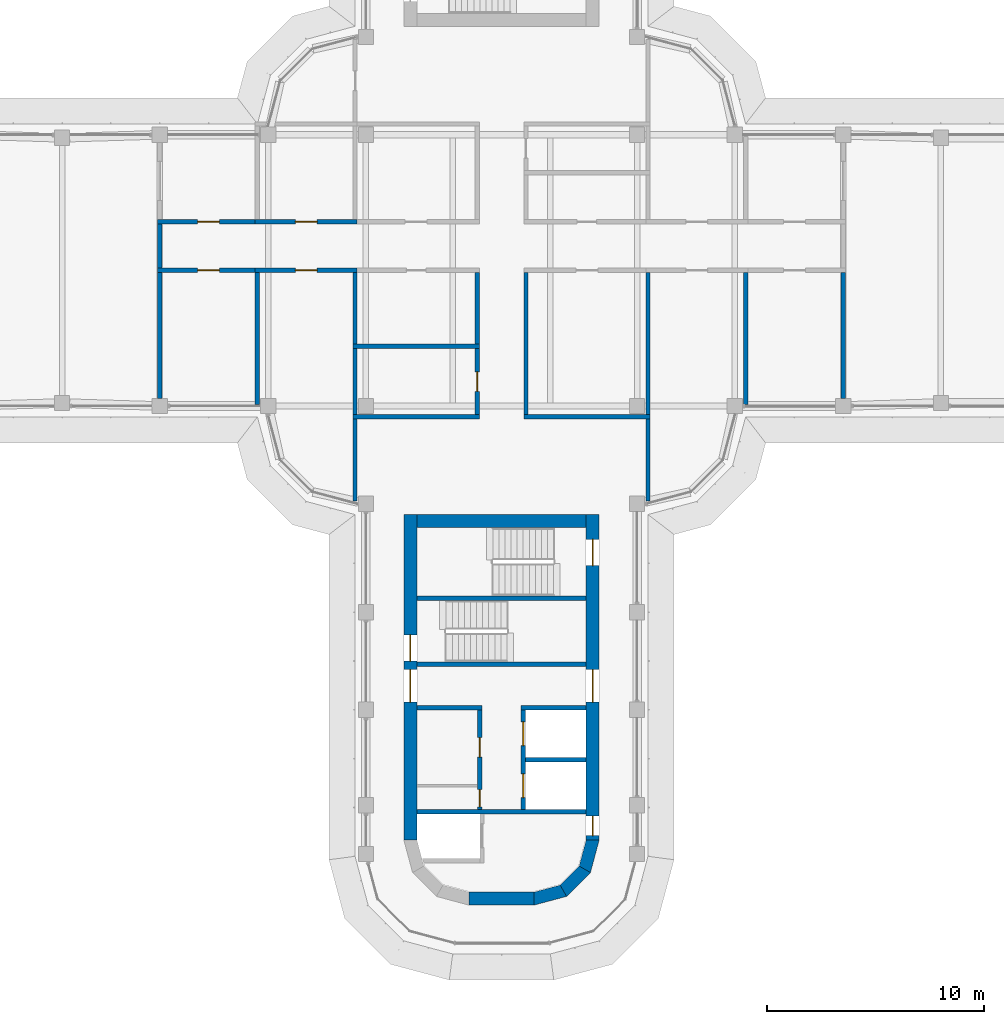
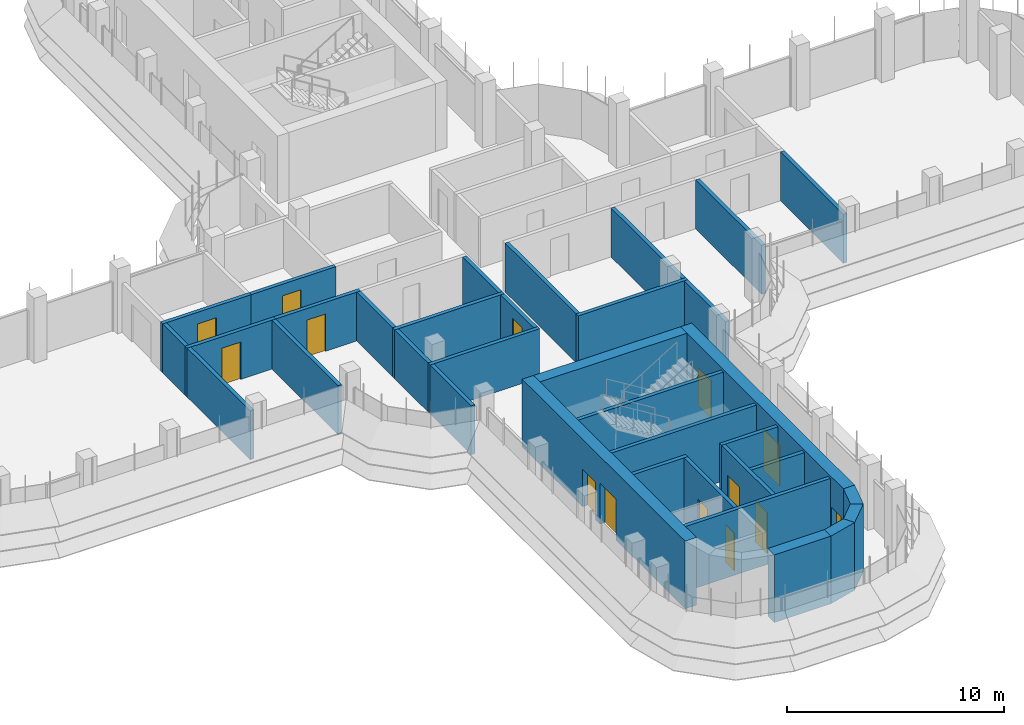
# One storey, part 13 of 18: 35 walls, 14 doors, 14 openings.
"""IFC4 building model written with IfcOpenShell, lengths in metres."""

from ifc_helpers import new_model, si_unit, direction, frame, frame_2d, origin, place, context, subcontext, project, spatial, polyline, rectangle, outline, extrude, material, layer, layer_set, type_object, element, fill, save


model = new_model("IFC4")

# Units and contexts
model_context = context("Model", 3, precision=1e-05, world=origin(), true_north=direction((0.0, 1.0)))
body_context = subcontext(model_context, "Body", "Model", "MODEL_VIEW")
ifc_project = project(units=[si_unit("LENGTHUNIT", "METRE"), si_unit("AREAUNIT", "SQUARE_METRE"), si_unit("VOLUMEUNIT", "CUBIC_METRE"), si_unit("PLANEANGLEUNIT", "RADIAN"), si_unit("MASSUNIT", "GRAM", prefix="KILO")], contexts=[model_context])

# Site, building, storey
site_placement = place(None, origin())
site = spatial("IfcSite", under=ifc_project, at=site_placement, CompositionType="ELEMENT")
building_placement = place(site_placement, origin())
building = spatial("IfcBuilding", under=site, at=building_placement, Name="Zarbagh Exchange Tower", CompositionType="ELEMENT")
storey_placement = place(building_placement, frame((0.0, 0.0, 206.800048828125)))
storey = spatial("IfcBuildingStorey", under=building, at=storey_placement, Name="L50", CompositionType="ELEMENT", Elevation=206.800048828125)

# Wall, opening, door
ifc_material_1 = material(Name="Fire-rated plasterboard partition")
ifc_layer_1 = layer(ifc_material_1, 0.199951171875)
ifc_layer_set_1 = layer_set([ifc_layer_1], Name="RATED PARTITION 200")
wall_type_1 = type_object("IfcWallType", Name="RATED PARTITION 200", PredefinedType="PARTITIONING", material=ifc_layer_set_1)
wall_1_placement = place(storey_placement, frame((-11.35009765625, 2.25, 0.0), z_axis=(0.0, 0.0, 1.0), x_axis=(1.0, 0.0, 0.0)))
wall_1 = element("IfcWall", 1, at=wall_1_placement, inside=storey, type_object=wall_type_1, Name="Partition W-2204", PredefinedType="PARTITIONING", context=body_context, shape_type="SweptSolid", body=[
    extrude(rectangle(XDim=4.7001953125, YDim=0.199951171875, at=frame_2d((2.35009765625, 0.0))), origin(), (0.0, 0.0, 1.0), 2.75),
])
opening_1_placement = place(wall_1_placement, frame((1.85009765625, 0.0, 0.0)))
opening_1 = element("IfcOpeningElement", 2, at=opening_1_placement, cuts=wall_1, Name="Opening D-2209", PredefinedType="OPENING", context=body_context, shape_type="SweptSolid", body=[
    extrude(rectangle(XDim=1.0, YDim=2.10009765625, at=frame_2d((0.5, 1.050048828125))), frame((0.0, 0.10986328125, 0.0), z_axis=(0.0, -1.0, 0.0), x_axis=(1.0, 0.0, 0.0)), (0.0, 0.0, 1.0), 0.219970703125),
])
ifc_material_2 = material(Name="Steel door set", Category="steel")
door_type_1 = type_object("IfcDoorType", Name="FIRE DOOR 1000 X 2100 FD30S", OperationType="NOTDEFINED", PredefinedType="DOOR", material=ifc_material_2)
door_1_placement = place(opening_1_placement, origin())
door_1 = element("IfcDoor", 3, at=door_1_placement, inside=storey, type_object=door_type_1, Name="Door D-2209", OperationType="SINGLE_SWING_RIGHT", OverallHeight=2.10009765625, OverallWidth=1.0, PredefinedType="DOOR", context=body_context, shape_type="SweptSolid", body=[
    extrude(rectangle(XDim=1.0, YDim=2.10009765625, at=frame_2d((0.5, 1.050048828125))), frame((0.0, 0.02490234375, 0.0), z_axis=(0.0, -1.0, 0.0), x_axis=(1.0, 0.0, 0.0)), (0.0, 0.0, 1.0), 0.050048828125),
])
fill(opening_1, door_1)

wall_2_placement = place(storey_placement, frame((-6.64990234375, 0.0, 0.0), z_axis=(0.0, 0.0, 1.0), x_axis=(-1.0, 0.0, 0.0)))
wall_2 = element("IfcWall", 4, at=wall_2_placement, inside=storey, type_object=wall_type_1, Name="Partition W-2208", PredefinedType="PARTITIONING", context=body_context, shape_type="SweptSolid", body=[
    extrude(rectangle(XDim=4.7001953125, YDim=0.199951171875, at=frame_2d((2.35009765625, 0.0))), origin(), (0.0, 0.0, 1.0), 2.75),
])
opening_2_placement = place(wall_2_placement, frame((1.85009765625, 0.0, 0.0)))
opening_2 = element("IfcOpeningElement", 5, at=opening_2_placement, cuts=wall_2, Name="Opening D-2215", PredefinedType="OPENING", context=body_context, shape_type="SweptSolid", body=[
    extrude(rectangle(XDim=1.0, YDim=2.10009765625, at=frame_2d((0.5, 1.050048828125))), frame((0.0, 0.10986328125, 0.0), z_axis=(0.0, -1.0, 0.0), x_axis=(1.0, 0.0, 0.0)), (0.0, 0.0, 1.0), 0.219970703125),
])
door_2_placement = place(opening_2_placement, origin())
door_2 = element("IfcDoor", 6, at=door_2_placement, inside=storey, type_object=door_type_1, Name="Door D-2215", OperationType="SINGLE_SWING_RIGHT", OverallHeight=2.10009765625, OverallWidth=1.0, PredefinedType="DOOR", context=body_context, shape_type="SweptSolid", body=[
    extrude(rectangle(XDim=1.0, YDim=2.10009765625, at=frame_2d((0.5, 1.050048828125))), frame((0.0, 0.02490234375, 0.0), z_axis=(0.0, -1.0, 0.0), x_axis=(1.0, 0.0, 0.0)), (0.0, 0.0, 1.0), 0.050048828125),
])
fill(opening_2, door_2)

wall_3_placement = place(storey_placement, frame((-15.85009765625, 2.25, 0.0), z_axis=(0.0, 0.0, 1.0), x_axis=(1.0, 0.0, 0.0)))
wall_3 = element("IfcWall", 7, at=wall_3_placement, inside=storey, type_object=wall_type_1, Name="Partition W-2212", PredefinedType="PARTITIONING", context=body_context, shape_type="SweptSolid", body=[
    extrude(rectangle(XDim=4.7001953125, YDim=0.199951171875, at=frame_2d((2.35009765625, 0.0))), origin(), (0.0, 0.0, 1.0), 2.75),
])
opening_3_placement = place(wall_3_placement, frame((1.85009765625, 0.0, 0.0)))
opening_3 = element("IfcOpeningElement", 8, at=opening_3_placement, cuts=wall_3, Name="Opening D-2217", PredefinedType="OPENING", context=body_context, shape_type="SweptSolid", body=[
    extrude(rectangle(XDim=1.0, YDim=2.10009765625, at=frame_2d((0.5, 1.050048828125))), frame((0.0, 0.10986328125, 0.0), z_axis=(0.0, -1.0, 0.0), x_axis=(1.0, 0.0, 0.0)), (0.0, 0.0, 1.0), 0.219970703125),
])
door_3_placement = place(opening_3_placement, origin())
door_3 = element("IfcDoor", 9, at=door_3_placement, inside=storey, type_object=door_type_1, Name="Door D-2217", OperationType="SINGLE_SWING_RIGHT", OverallHeight=2.10009765625, OverallWidth=1.0, PredefinedType="DOOR", context=body_context, shape_type="SweptSolid", body=[
    extrude(rectangle(XDim=1.0, YDim=2.10009765625, at=frame_2d((0.5, 1.050048828125))), frame((0.0, 0.02490234375, 0.0), z_axis=(0.0, -1.0, 0.0), x_axis=(1.0, 0.0, 0.0)), (0.0, 0.0, 1.0), 0.050048828125),
])
fill(opening_3, door_3)

wall_4_placement = place(storey_placement, frame((-11.14990234375, 0.0, 0.0), z_axis=(0.0, 0.0, 1.0), x_axis=(-1.0, 0.0, 0.0)))
wall_4 = element("IfcWall", 10, at=wall_4_placement, inside=storey, type_object=wall_type_1, Name="Partition W-2213", PredefinedType="PARTITIONING", context=body_context, shape_type="SweptSolid", body=[
    extrude(rectangle(XDim=4.7001953125, YDim=0.199951171875, at=frame_2d((2.35009765625, 0.0))), origin(), (0.0, 0.0, 1.0), 2.75),
])
opening_4_placement = place(wall_4_placement, frame((1.85009765625, 0.0, 0.0)))
opening_4 = element("IfcOpeningElement", 11, at=opening_4_placement, cuts=wall_4, Name="Opening D-2218", PredefinedType="OPENING", context=body_context, shape_type="SweptSolid", body=[
    extrude(rectangle(XDim=1.0, YDim=2.10009765625, at=frame_2d((0.5, 1.050048828125))), frame((0.0, 0.10986328125, 0.0), z_axis=(0.0, -1.0, 0.0), x_axis=(1.0, 0.0, 0.0)), (0.0, 0.0, 1.0), 0.219970703125),
])
door_4_placement = place(opening_4_placement, origin())
door_4 = element("IfcDoor", 12, at=door_4_placement, inside=storey, type_object=door_type_1, Name="Door D-2218", OperationType="SINGLE_SWING_RIGHT", OverallHeight=2.10009765625, OverallWidth=1.0, PredefinedType="DOOR", context=body_context, shape_type="SweptSolid", body=[
    extrude(rectangle(XDim=1.0, YDim=2.10009765625, at=frame_2d((0.5, 1.050048828125))), frame((0.0, 0.02490234375, 0.0), z_axis=(0.0, -1.0, 0.0), x_axis=(1.0, 0.0, 0.0)), (0.0, 0.0, 1.0), 0.050048828125),
])
fill(opening_4, door_4)

# Walls
wall_5_placement = place(storey_placement, frame((-15.75, 0.10009765625, 0.0), z_axis=(0.0, 0.0, 1.0), x_axis=(0.0, 1.0, 0.0)))
element("IfcWall", 13, at=wall_5_placement, inside=storey, type_object=wall_type_1, Name="Partition W-2214", PredefinedType="PARTITIONING", context=body_context, shape_type="SweptSolid", body=[
    extrude(rectangle(XDim=2.0498046875, YDim=0.199951171875, at=frame_2d((1.02490234375, 0.0))), origin(), (0.0, 0.0, 1.0), 2.75),
])
wall_6_placement = place(storey_placement, frame((1.125, -6.64990234375, 0.0), z_axis=(0.0, 0.0, 1.0), x_axis=(0.0, 1.0, 0.0)))
element("IfcWall", 14, at=wall_6_placement, inside=storey, type_object=wall_type_1, Name="Partition W-2218", PredefinedType="PARTITIONING", context=body_context, shape_type="SweptSolid", body=[
    extrude(rectangle(XDim=6.5498046875, YDim=0.199951171875, at=frame_2d((3.27490234375, 0.0))), origin(), (0.0, 0.0, 1.0), 2.75),
])
wall_7_placement = place(storey_placement, frame((-1.125, -3.39990234375, 0.0), z_axis=(0.0, 0.0, 1.0), x_axis=(0.0, 1.0, 0.0)))
element("IfcWall", 15, at=wall_7_placement, inside=storey, type_object=wall_type_1, Name="Partition W-2219", PredefinedType="PARTITIONING", context=body_context, shape_type="SweptSolid", body=[
    extrude(rectangle(XDim=3.2998046875, YDim=0.199951171875, at=frame_2d((1.64990234375, 0.0))), origin(), (0.0, 0.0, 1.0), 2.75),
])

# Wall, opening, door
wall_8_placement = place(storey_placement, frame((-1.125, -6.64990234375, 0.0), z_axis=(0.0, 0.0, 1.0), x_axis=(0.0, 1.0, 0.0)))
wall_8 = element("IfcWall", 16, at=wall_8_placement, inside=storey, type_object=wall_type_1, Name="Partition W-2220", PredefinedType="PARTITIONING", context=body_context, shape_type="SweptSolid", body=[
    extrude(rectangle(XDim=3.0498046875, YDim=0.199951171875, at=frame_2d((1.52490234375, 0.0))), origin(), (0.0, 0.0, 1.0), 2.75),
])
opening_5_placement = place(wall_8_placement, frame((1.074951171875, 0.0, 0.0)))
opening_5 = element("IfcOpeningElement", 17, at=opening_5_placement, cuts=wall_8, Name="Opening D-2214", PredefinedType="OPENING", context=body_context, shape_type="SweptSolid", body=[
    extrude(rectangle(XDim=0.89990234375, YDim=2.10009765625, at=frame_2d((0.449951171875, 1.050048828125))), frame((0.0, 0.10986328125, 0.0), z_axis=(0.0, -1.0, 0.0), x_axis=(1.0, 0.0, 0.0)), (0.0, 0.0, 1.0), 0.219970703125),
])
ifc_material_3 = material(Name="Timber door leaf", Category="wood")
door_type_2 = type_object("IfcDoorType", Name="DOOR 900 X 2100", OperationType="NOTDEFINED", PredefinedType="DOOR", material=ifc_material_3)
door_5_placement = place(opening_5_placement, origin())
door_5 = element("IfcDoor", 18, at=door_5_placement, inside=storey, type_object=door_type_2, Name="Door D-2214", OperationType="SINGLE_SWING_RIGHT", OverallHeight=2.10009765625, OverallWidth=0.89990234375, PredefinedType="DOOR", context=body_context, shape_type="SweptSolid", body=[
    extrude(rectangle(XDim=0.89990234375, YDim=2.10009765625, at=frame_2d((0.449951171875, 1.050048828125))), frame((0.0, 0.02490234375, 0.0), z_axis=(0.0, -1.0, 0.0), x_axis=(1.0, 0.0, 0.0)), (0.0, 0.0, 1.0), 0.050048828125),
])
fill(opening_5, door_5)

# Walls
wall_9_placement = place(storey_placement, frame((1.02490234375, -6.75, 0.0), z_axis=(0.0, 0.0, 1.0), x_axis=(1.0, 0.0, 0.0)))
element("IfcWall", 19, at=wall_9_placement, inside=storey, type_object=wall_type_1, Name="Partition W-2225", PredefinedType="PARTITIONING", context=body_context, shape_type="SweptSolid", body=[
    extrude(rectangle(XDim=5.8251953125, YDim=0.199951171875, at=frame_2d((2.91259765625, 0.0))), origin(), (0.0, 0.0, 1.0), 2.75),
])
wall_10_placement = place(storey_placement, frame((6.75, -10.6298828125, 0.0), z_axis=(0.0, 0.0, 1.0), x_axis=(0.0, 1.0, 0.0)))
element("IfcWall", 20, at=wall_10_placement, inside=storey, type_object=wall_type_1, Name="Partition W-2226", PredefinedType="PARTITIONING", context=body_context, shape_type="SweptSolid", body=[
    extrude(rectangle(XDim=3.77978515625, YDim=0.199951171875, at=frame_2d((1.889892578125, 0.0))), origin(), (0.0, 0.0, 1.0), 2.75),
])
wall_11_placement = place(storey_placement, frame((-6.85009765625, -6.75, 0.0), z_axis=(0.0, 0.0, 1.0), x_axis=(1.0, 0.0, 0.0)))
element("IfcWall", 21, at=wall_11_placement, inside=storey, type_object=wall_type_1, Name="Partition W-2227", PredefinedType="PARTITIONING", context=body_context, shape_type="SweptSolid", body=[
    extrude(rectangle(XDim=5.8251953125, YDim=0.199951171875, at=frame_2d((2.91259765625, 0.0))), origin(), (0.0, 0.0, 1.0), 2.75),
])
wall_12_placement = place(storey_placement, frame((-6.75, -10.6298828125, 0.0), z_axis=(0.0, 0.0, 1.0), x_axis=(0.0, 1.0, 0.0)))
element("IfcWall", 22, at=wall_12_placement, inside=storey, type_object=wall_type_1, Name="Partition W-2228", PredefinedType="PARTITIONING", context=body_context, shape_type="SweptSolid", body=[
    extrude(rectangle(XDim=3.77978515625, YDim=0.199951171875, at=frame_2d((1.889892578125, 0.0))), origin(), (0.0, 0.0, 1.0), 2.75),
])
wall_13_placement = place(storey_placement, frame((6.75, -6.64990234375, 0.0), z_axis=(0.0, 0.0, 1.0), x_axis=(0.0, 1.0, 0.0)))
element("IfcWall", 23, at=wall_13_placement, inside=storey, type_object=wall_type_1, Name="Partition W-2236", PredefinedType="PARTITIONING", context=body_context, shape_type="SweptSolid", body=[
    extrude(rectangle(XDim=6.5498046875, YDim=0.199951171875, at=frame_2d((3.27490234375, 0.0))), origin(), (0.0, 0.0, 1.0), 2.75),
])
wall_14_placement = place(storey_placement, frame((11.25, -6.169921875, 0.0), z_axis=(0.0, 0.0, 1.0), x_axis=(0.0, 1.0, 0.0)))
element("IfcWall", 24, at=wall_14_placement, inside=storey, type_object=wall_type_1, Name="Partition W-2237", PredefinedType="PARTITIONING", context=body_context, shape_type="SweptSolid", body=[
    extrude(rectangle(XDim=6.06982421875, YDim=0.199951171875, at=frame_2d((3.034912109375, 0.0))), origin(), (0.0, 0.0, 1.0), 2.75),
])
wall_15_placement = place(storey_placement, frame((-6.85009765625, -3.5, 0.0), z_axis=(0.0, 0.0, 1.0), x_axis=(1.0, 0.0, 0.0)))
element("IfcWall", 25, at=wall_15_placement, inside=storey, type_object=wall_type_1, Name="Partition W-2238", PredefinedType="PARTITIONING", context=body_context, shape_type="SweptSolid", body=[
    extrude(rectangle(XDim=5.8251953125, YDim=0.199951171875, at=frame_2d((2.91259765625, 0.0))), origin(), (0.0, 0.0, 1.0), 2.75),
])
wall_16_placement = place(storey_placement, frame((-6.75, -3.39990234375, 0.0), z_axis=(0.0, 0.0, 1.0), x_axis=(0.0, 1.0, 0.0)))
element("IfcWall", 26, at=wall_16_placement, inside=storey, type_object=wall_type_1, Name="Partition W-2239", PredefinedType="PARTITIONING", context=body_context, shape_type="SweptSolid", body=[
    extrude(rectangle(XDim=3.2998046875, YDim=0.199951171875, at=frame_2d((1.64990234375, 0.0))), origin(), (0.0, 0.0, 1.0), 2.75),
])
wall_17_placement = place(storey_placement, frame((-6.75, -6.64990234375, 0.0), z_axis=(0.0, 0.0, 1.0), x_axis=(0.0, 1.0, 0.0)))
element("IfcWall", 27, at=wall_17_placement, inside=storey, type_object=wall_type_1, Name="Partition W-2240", PredefinedType="PARTITIONING", context=body_context, shape_type="SweptSolid", body=[
    extrude(rectangle(XDim=3.0498046875, YDim=0.199951171875, at=frame_2d((1.52490234375, 0.0))), origin(), (0.0, 0.0, 1.0), 2.75),
])
wall_18_placement = place(storey_placement, frame((-11.25, -6.169921875, 0.0), z_axis=(0.0, 0.0, 1.0), x_axis=(0.0, 1.0, 0.0)))
element("IfcWall", 28, at=wall_18_placement, inside=storey, type_object=wall_type_1, Name="Partition W-2241", PredefinedType="PARTITIONING", context=body_context, shape_type="SweptSolid", body=[
    extrude(rectangle(XDim=6.06982421875, YDim=0.199951171875, at=frame_2d((3.034912109375, 0.0))), origin(), (0.0, 0.0, 1.0), 2.75),
])
for number, where, z_axis, x_axis, name in (
    (29, (15.75, -5.89990234375, 0.0), (0.0, 0.0, 1.0), (0.0, 1.0, 0.0), "Partition W-2243"),
    (30, (-15.75, -5.89990234375, 0.0), (0.0, 0.0, 1.0), (0.0, 1.0, 0.0), "Partition W-2246"),
):
    element("IfcWall", number, at=place(storey_placement, frame(where, z_axis=z_axis, x_axis=x_axis)), inside=storey, type_object=wall_type_1, Name=name, PredefinedType="PARTITIONING", context=body_context, shape_type="SweptSolid", body=[
        extrude(rectangle(XDim=5.7998046875, YDim=0.199951171875, at=frame_2d((2.89990234375, 0.0))), origin(), (0.0, 0.0, 1.0), 2.75),
    ])
ifc_material_4 = material(Name="Concrete C50/60", Category="concrete")
ifc_layer_2 = layer(ifc_material_4, 0.60009765625)
ifc_layer_set_2 = layer_set([ifc_layer_2], Name="RC core corner wall 600 C50/60")
wall_type_2 = type_object("IfcWallType", Name="RC core corner wall 600 C50/60", PredefinedType="SHEAR", material=ifc_layer_set_2)
wall_19_placement = place(storey_placement, origin())
element("IfcWall", 31, at=wall_19_placement, inside=storey, type_object=wall_type_2, Name="CW8 core S corner E", PredefinedType="SHEAR", context=body_context, shape_type="SweptSolid", body=[
    extrude(outline(polyline([(4.5, -26.25), (4.09814453125, -27.75), (3.57861328125, -27.449951171875), (3.89990234375, -26.25), (4.5, -26.25)])), origin(), (0.0, 0.0, 1.0), 3.800048828125),
])
wall_20_placement = place(storey_placement, origin())
element("IfcWall", 32, at=wall_20_placement, inside=storey, type_object=wall_type_2, Name="CW8 core S corner E", PredefinedType="SHEAR", context=body_context, shape_type="SweptSolid", body=[
    extrude(outline(polyline([(4.09814453125, -27.75), (3.0, -28.84814453125), (2.699951171875, -28.32861328125), (3.57861328125, -27.449951171875), (4.09814453125, -27.75)])), origin(), (0.0, 0.0, 1.0), 3.800048828125),
])
wall_21_placement = place(storey_placement, origin())
element("IfcWall", 33, at=wall_21_placement, inside=storey, type_object=wall_type_2, Name="CW8 core S corner E", PredefinedType="SHEAR", context=body_context, shape_type="SweptSolid", body=[
    extrude(outline(polyline([(3.0, -28.84814453125), (1.5, -29.25), (1.5, -28.64990234375), (2.699951171875, -28.32861328125), (3.0, -28.84814453125)])), origin(), (0.0, 0.0, 1.0), 3.800048828125),
])

# Wall, openings, doors
ifc_layer_3 = layer(ifc_material_4, 0.60009765625)
ifc_layer_set_3 = layer_set([ifc_layer_3], Name="RC core wall 600 C50/60")
wall_type_3 = type_object("IfcWallType", Name="RC core wall 600 C50/60", PredefinedType="SHEAR", material=ifc_layer_set_3)
wall_22_placement = place(storey_placement, frame((-4.199951171875, -11.25, 0.0), z_axis=(0.0, 0.0, 1.0), x_axis=(0.0, -1.0, 0.0)))
wall_22 = element("IfcWall", 34, at=wall_22_placement, inside=storey, type_object=wall_type_3, Name="CW7 core S W", PredefinedType="SHEAR", context=body_context, shape_type="SweptSolid", body=[
    extrude(rectangle(XDim=15.0, YDim=0.60009765625, at=frame_2d((7.5, 0.0))), origin(), (0.0, 0.0, 1.0), 3.800048828125),
])
opening_6_placement = place(wall_22_placement, frame((7.14990234375, 0.0, 0.0)))
opening_6 = element("IfcOpeningElement", 35, at=opening_6_placement, cuts=wall_22, Name="Opening CD1-1500", PredefinedType="OPENING", context=body_context, shape_type="SweptSolid", body=[
    extrude(rectangle(XDim=1.5, YDim=2.300048828125, at=frame_2d((0.75, 1.14990234375))), frame((0.0, 0.31005859375, 0.0), z_axis=(0.0, -1.0, 0.0), x_axis=(1.0, 0.0, 0.0)), (0.0, 0.0, 1.0), 0.6201171875),
])
opening_7_placement = place(wall_22_placement, frame((5.550048828125, 0.0, 0.0)))
opening_7 = element("IfcOpeningElement", 36, at=opening_7_placement, cuts=wall_22, Name="Opening SD1-1200", PredefinedType="OPENING", context=body_context, shape_type="SweptSolid", body=[
    extrude(rectangle(XDim=1.199951171875, YDim=2.10009765625, at=frame_2d((0.60009765625, 1.050048828125))), frame((0.0, 0.31005859375, 0.0), z_axis=(0.0, -1.0, 0.0), x_axis=(1.0, 0.0, 0.0)), (0.0, 0.0, 1.0), 0.6201171875),
])
ifc_material_5 = material(Name="Steel", Category="steel")
door_type_3 = type_object("IfcDoorType", Name="Exit stair door 1200 x 2100", OperationType="NOTDEFINED", PredefinedType="DOOR", material=ifc_material_5)
door_6_placement = place(opening_7_placement, origin())
door_6 = element("IfcDoor", 37, at=door_6_placement, inside=storey, type_object=door_type_3, Name="South core stair door ST1", OperationType="SINGLE_SWING_LEFT", OverallHeight=2.10009765625, OverallWidth=1.199951171875, PredefinedType="DOOR", context=body_context, shape_type="SweptSolid", body=[
    extrude(rectangle(XDim=1.199951171875, YDim=2.10009765625, at=frame_2d((0.60009765625, 1.050048828125))), frame((0.0, 0.02490234375, 0.0), z_axis=(0.0, -1.0, 0.0), x_axis=(1.0, 0.0, 0.0)), (0.0, 0.0, 1.0), 0.050048828125),
])
fill(opening_7, door_6)
door_type_4 = type_object("IfcDoorType", Name="Lift lobby double door 1500 x 2300", OperationType="NOTDEFINED", PredefinedType="DOOR", material=ifc_material_5)
door_7_placement = place(opening_6_placement, origin())
door_7 = element("IfcDoor", 38, at=door_7_placement, inside=storey, type_object=door_type_4, Name="South core lift lobby door LOBBY-E", OperationType="DOUBLE_DOOR_SINGLE_SWING", OverallHeight=2.300048828125, OverallWidth=1.5, PredefinedType="DOOR", context=body_context, shape_type="SweptSolid", body=[
    extrude(rectangle(XDim=1.5, YDim=2.300048828125, at=frame_2d((0.75, 1.14990234375))), frame((0.0, 0.02490234375, 0.0), z_axis=(0.0, -1.0, 0.0), x_axis=(1.0, 0.0, 0.0)), (0.0, 0.0, 1.0), 0.050048828125),
])
fill(opening_6, door_7)

wall_23_placement = place(storey_placement, frame((4.199951171875, -11.25, 0.0), z_axis=(0.0, 0.0, 1.0), x_axis=(0.0, -1.0, 0.0)))
wall_23 = element("IfcWall", 39, at=wall_23_placement, inside=storey, type_object=wall_type_3, Name="CW7 core S E", PredefinedType="SHEAR", context=body_context, shape_type="SweptSolid", body=[
    extrude(rectangle(XDim=15.0, YDim=0.60009765625, at=frame_2d((7.5, 0.0))), origin(), (0.0, 0.0, 1.0), 3.800048828125),
])
opening_8_placement = place(wall_23_placement, frame((7.14990234375, 0.0, 0.0)))
opening_8 = element("IfcOpeningElement", 40, at=opening_8_placement, cuts=wall_23, Name="Opening CD1-1500", PredefinedType="OPENING", context=body_context, shape_type="SweptSolid", body=[
    extrude(rectangle(XDim=1.5, YDim=2.300048828125, at=frame_2d((0.75, 1.14990234375))), frame((0.0, 0.31005859375, 0.0), z_axis=(0.0, -1.0, 0.0), x_axis=(1.0, 0.0, 0.0)), (0.0, 0.0, 1.0), 0.6201171875),
])
opening_9_placement = place(wall_23_placement, frame((13.89990234375, 0.0, 0.0)))
opening_9 = element("IfcOpeningElement", 41, at=opening_9_placement, cuts=wall_23, Name="Opening CD2-900", PredefinedType="OPENING", context=body_context, shape_type="SweptSolid", body=[
    extrude(rectangle(XDim=0.89990234375, YDim=2.10009765625, at=frame_2d((0.449951171875, 1.050048828125))), frame((0.0, 0.31005859375, 0.0), z_axis=(0.0, -1.0, 0.0), x_axis=(1.0, 0.0, 0.0)), (0.0, 0.0, 1.0), 0.6201171875),
])
opening_10_placement = place(wall_23_placement, frame((1.14990234375, 0.0, 0.0)))
opening_10 = element("IfcOpeningElement", 42, at=opening_10_placement, cuts=wall_23, Name="Opening SD1-1200", PredefinedType="OPENING", context=body_context, shape_type="SweptSolid", body=[
    extrude(rectangle(XDim=1.199951171875, YDim=2.10009765625, at=frame_2d((0.60009765625, 1.050048828125))), frame((0.0, 0.31005859375, 0.0), z_axis=(0.0, -1.0, 0.0), x_axis=(1.0, 0.0, 0.0)), (0.0, 0.0, 1.0), 0.6201171875),
])
door_8_placement = place(opening_10_placement, origin())
door_8 = element("IfcDoor", 43, at=door_8_placement, inside=storey, type_object=door_type_3, Name="South core stair door ST2", OperationType="SINGLE_SWING_LEFT", OverallHeight=2.10009765625, OverallWidth=1.199951171875, PredefinedType="DOOR", context=body_context, shape_type="SweptSolid", body=[
    extrude(rectangle(XDim=1.199951171875, YDim=2.10009765625, at=frame_2d((0.60009765625, 1.050048828125))), frame((0.0, 0.02490234375, 0.0), z_axis=(0.0, -1.0, 0.0), x_axis=(1.0, 0.0, 0.0)), (0.0, 0.0, 1.0), 0.050048828125),
])
fill(opening_10, door_8)
door_type_5 = type_object("IfcDoorType", Name="Firefighting lobby door 900 x 2100", OperationType="NOTDEFINED", PredefinedType="DOOR", material=ifc_material_5)
door_9_placement = place(opening_9_placement, origin())
door_9 = element("IfcDoor", 44, at=door_9_placement, inside=storey, type_object=door_type_5, Name="South core firefighting lobby door FF-W", OperationType="SINGLE_SWING_RIGHT", OverallHeight=2.10009765625, OverallWidth=0.89990234375, PredefinedType="DOOR", context=body_context, shape_type="SweptSolid", body=[
    extrude(rectangle(XDim=0.89990234375, YDim=2.10009765625, at=frame_2d((0.449951171875, 1.050048828125))), frame((0.0, 0.02490234375, 0.0), z_axis=(0.0, -1.0, 0.0), x_axis=(1.0, 0.0, 0.0)), (0.0, 0.0, 1.0), 0.050048828125),
])
fill(opening_9, door_9)
door_10_placement = place(opening_8_placement, origin())
door_10 = element("IfcDoor", 45, at=door_10_placement, inside=storey, type_object=door_type_4, Name="South core lift lobby door LOBBY-W", OperationType="DOUBLE_DOOR_SINGLE_SWING", OverallHeight=2.300048828125, OverallWidth=1.5, PredefinedType="DOOR", context=body_context, shape_type="SweptSolid", body=[
    extrude(rectangle(XDim=1.5, YDim=2.300048828125, at=frame_2d((0.75, 1.14990234375))), frame((0.0, 0.02490234375, 0.0), z_axis=(0.0, -1.0, 0.0), x_axis=(1.0, 0.0, 0.0)), (0.0, 0.0, 1.0), 0.050048828125),
])
fill(opening_8, door_10)

# Walls
wall_24_placement = place(storey_placement, frame((-3.89990234375, -11.550048828125, 0.0), z_axis=(0.0, 0.0, 1.0), x_axis=(1.0, 0.0, 0.0)))
element("IfcWall", 46, at=wall_24_placement, inside=storey, type_object=wall_type_3, Name="CW7 core S inner end", PredefinedType="SHEAR", context=body_context, shape_type="SweptSolid", body=[
    extrude(rectangle(XDim=7.7998046875, YDim=0.60009765625, at=frame_2d((3.89990234375, 0.0))), origin(), (0.0, 0.0, 1.0), 3.800048828125),
])
wall_25_placement = place(storey_placement, frame((-1.5, -28.949951171875, 0.0), z_axis=(0.0, 0.0, 1.0), x_axis=(1.0, 0.0, 0.0)))
element("IfcWall", 47, at=wall_25_placement, inside=storey, type_object=wall_type_3, Name="CW7 core S outer end", PredefinedType="SHEAR", context=body_context, shape_type="SweptSolid", body=[
    extrude(rectangle(XDim=3.0, YDim=0.60009765625, at=frame_2d((1.5, 0.0))), origin(), (0.0, 0.0, 1.0), 3.800048828125),
])
ifc_material_6 = material(Name="Dense blockwork", Category="masonry")
ifc_layer_4 = layer(ifc_material_6, 0.199951171875)
ifc_layer_set_4 = layer_set([ifc_layer_4], Name="Shaft wall 200 mm blockwork")
wall_type_4 = type_object("IfcWallType", Name="Shaft wall 200 mm blockwork", PredefinedType="PARTITIONING", material=ifc_layer_set_4)
wall_26_placement = place(storey_placement, frame((3.89990234375, -20.14990234375, 0.0), z_axis=(0.0, 0.0, 1.0), x_axis=(-1.0, 0.0, 0.0)))
element("IfcWall", 48, at=wall_26_placement, inside=storey, type_object=wall_type_4, Name="South core shaft wall AB-W", PredefinedType="PARTITIONING", context=body_context, shape_type="SweptSolid", body=[
    extrude(rectangle(XDim=3.0, YDim=0.199951171875, at=frame_2d((1.5, 0.0))), origin(), (0.0, 0.0, 1.0), 3.64990234375),
])

# Wall, openings, doors
wall_27_placement = place(storey_placement, frame((1.0, -24.85009765625, 0.0), z_axis=(0.0, 0.0, 1.0), x_axis=(0.0, 1.0, 0.0)))
wall_27 = element("IfcWall", 49, at=wall_27_placement, inside=storey, type_object=wall_type_4, Name="South core shaft wall LW-W", PredefinedType="PARTITIONING", context=body_context, shape_type="SweptSolid", body=[
    extrude(rectangle(XDim=4.60009765625, YDim=0.199951171875, at=frame_2d((2.300048828125, 0.0))), origin(), (0.0, 0.0, 1.0), 3.64990234375),
])
opening_11_placement = place(wall_27_placement, frame((0.550048828125, 0.0, 0.0)))
opening_11 = element("IfcOpeningElement", 50, at=opening_11_placement, cuts=wall_27, Name="Opening LD-1100", PredefinedType="OPENING", context=body_context, shape_type="SweptSolid", body=[
    extrude(rectangle(XDim=1.10009765625, YDim=2.300048828125, at=frame_2d((0.550048828125, 1.14990234375))), frame((0.0, 0.10986328125, 0.0), z_axis=(0.0, -1.0, 0.0), x_axis=(1.0, 0.0, 0.0)), (0.0, 0.0, 1.0), 0.219970703125),
])
opening_12_placement = place(wall_27_placement, frame((2.949951171875, 0.0, 0.0)))
opening_12 = element("IfcOpeningElement", 51, at=opening_12_placement, cuts=wall_27, Name="Opening LD-1100", PredefinedType="OPENING", context=body_context, shape_type="SweptSolid", body=[
    extrude(rectangle(XDim=1.10009765625, YDim=2.300048828125, at=frame_2d((0.550048828125, 1.14990234375))), frame((0.0, 0.10986328125, 0.0), z_axis=(0.0, -1.0, 0.0), x_axis=(1.0, 0.0, 0.0)), (0.0, 0.0, 1.0), 0.219970703125),
])
ifc_material_7 = material(Name="Stainless steel", Category="steel")
door_type_6 = type_object("IfcDoorType", Name="Lift landing door 1100 x 2300", OperationType="NOTDEFINED", PredefinedType="DOOR", material=ifc_material_7)
door_11_placement = place(opening_11_placement, origin())
door_11 = element("IfcDoor", 52, at=door_11_placement, inside=storey, type_object=door_type_6, Name="South core lift landing door LD-P-S1", OperationType="DOUBLE_DOOR_SLIDING", OverallHeight=2.300048828125, OverallWidth=1.10009765625, PredefinedType="DOOR", context=body_context, shape_type="SweptSolid", body=[
    extrude(rectangle(XDim=1.10009765625, YDim=2.300048828125, at=frame_2d((0.550048828125, 1.14990234375))), frame((0.0, 0.02490234375, 0.0), z_axis=(0.0, -1.0, 0.0), x_axis=(1.0, 0.0, 0.0)), (0.0, 0.0, 1.0), 0.050048828125),
])
fill(opening_11, door_11)
door_12_placement = place(opening_12_placement, origin())
door_12 = element("IfcDoor", 53, at=door_12_placement, inside=storey, type_object=door_type_6, Name="South core lift landing door LD-P-S2", OperationType="DOUBLE_DOOR_SLIDING", OverallHeight=2.300048828125, OverallWidth=1.10009765625, PredefinedType="DOOR", context=body_context, shape_type="SweptSolid", body=[
    extrude(rectangle(XDim=1.10009765625, YDim=2.300048828125, at=frame_2d((0.550048828125, 1.14990234375))), frame((0.0, 0.02490234375, 0.0), z_axis=(0.0, -1.0, 0.0), x_axis=(1.0, 0.0, 0.0)), (0.0, 0.0, 1.0), 0.050048828125),
])
fill(opening_12, door_12)

# Wall
wall_28_placement = place(storey_placement, frame((-0.89990234375, -20.14990234375, 0.0), z_axis=(0.0, 0.0, 1.0), x_axis=(-1.0, 0.0, 0.0)))
element("IfcWall", 54, at=wall_28_placement, inside=storey, type_object=wall_type_4, Name="South core shaft wall AB-E", PredefinedType="PARTITIONING", context=body_context, shape_type="SweptSolid", body=[
    extrude(rectangle(XDim=3.0, YDim=0.199951171875, at=frame_2d((1.5, 0.0))), origin(), (0.0, 0.0, 1.0), 3.64990234375),
])

# Wall, openings, doors
wall_29_placement = place(storey_placement, frame((-1.0, -24.85009765625, 0.0), z_axis=(0.0, 0.0, 1.0), x_axis=(0.0, 1.0, 0.0)))
wall_29 = element("IfcWall", 55, at=wall_29_placement, inside=storey, type_object=wall_type_4, Name="South core shaft wall LW-E", PredefinedType="PARTITIONING", context=body_context, shape_type="SweptSolid", body=[
    extrude(rectangle(XDim=4.60009765625, YDim=0.199951171875, at=frame_2d((2.300048828125, 0.0))), origin(), (0.0, 0.0, 1.0), 3.64990234375),
])
opening_13_placement = place(wall_29_placement, frame((0.125, 0.0, 0.0)))
opening_13 = element("IfcOpeningElement", 56, at=opening_13_placement, cuts=wall_29, Name="Opening CD3-800", PredefinedType="OPENING", context=body_context, shape_type="SweptSolid", body=[
    extrude(rectangle(XDim=0.800048828125, YDim=2.10009765625, at=frame_2d((0.39990234375, 1.050048828125))), frame((0.0, 0.10986328125, 0.0), z_axis=(0.0, -1.0, 0.0), x_axis=(1.0, 0.0, 0.0)), (0.0, 0.0, 1.0), 0.219970703125),
])
opening_14_placement = place(wall_29_placement, frame((2.425048828125, 0.0, 0.0)))
opening_14 = element("IfcOpeningElement", 57, at=opening_14_placement, cuts=wall_29, Name="Opening CD3-900", PredefinedType="OPENING", context=body_context, shape_type="SweptSolid", body=[
    extrude(rectangle(XDim=0.89990234375, YDim=2.10009765625, at=frame_2d((0.449951171875, 1.050048828125))), frame((0.0, 0.10986328125, 0.0), z_axis=(0.0, -1.0, 0.0), x_axis=(1.0, 0.0, 0.0)), (0.0, 0.0, 1.0), 0.219970703125),
])
door_type_7 = type_object("IfcDoorType", Name="Core room door 800 x 2100", OperationType="NOTDEFINED", PredefinedType="DOOR", material=ifc_material_5)
door_13_placement = place(opening_13_placement, origin())
door_13 = element("IfcDoor", 58, at=door_13_placement, inside=storey, type_object=door_type_7, Name="South core Store door RD-E-0", OperationType="SINGLE_SWING_LEFT", OverallHeight=2.10009765625, OverallWidth=0.800048828125, PredefinedType="DOOR", context=body_context, shape_type="SweptSolid", body=[
    extrude(rectangle(XDim=0.800048828125, YDim=2.10009765625, at=frame_2d((0.39990234375, 1.050048828125))), frame((0.0, 0.02490234375, 0.0), z_axis=(0.0, -1.0, 0.0), x_axis=(1.0, 0.0, 0.0)), (0.0, 0.0, 1.0), 0.050048828125),
])
fill(opening_13, door_13)
door_type_8 = type_object("IfcDoorType", Name="Core room door 900 x 2100", OperationType="NOTDEFINED", PredefinedType="DOOR", material=ifc_material_5)
door_14_placement = place(opening_14_placement, origin())
door_14 = element("IfcDoor", 59, at=door_14_placement, inside=storey, type_object=door_type_8, Name="South core Accessible WC door RD-E-1", OperationType="SINGLE_SWING_RIGHT", OverallHeight=2.10009765625, OverallWidth=0.89990234375, PredefinedType="DOOR", context=body_context, shape_type="SweptSolid", body=[
    extrude(rectangle(XDim=0.89990234375, YDim=2.10009765625, at=frame_2d((0.449951171875, 1.050048828125))), frame((0.0, 0.02490234375, 0.0), z_axis=(0.0, -1.0, 0.0), x_axis=(1.0, 0.0, 0.0)), (0.0, 0.0, 1.0), 0.050048828125),
])
fill(opening_14, door_14)

# Walls
wall_30_placement = place(storey_placement, frame((3.89990234375, -22.550048828125, 0.0), z_axis=(0.0, 0.0, 1.0), x_axis=(-1.0, 0.0, 0.0)))
element("IfcWall", 60, at=wall_30_placement, inside=storey, type_object=wall_type_4, Name="South core shaft wall TR-W", PredefinedType="PARTITIONING", context=body_context, shape_type="SweptSolid", body=[
    extrude(rectangle(XDim=2.7998046875, YDim=0.199951171875, at=frame_2d((1.39990234375, 0.0))), origin(), (0.0, 0.0, 1.0), 3.64990234375),
])
ifc_material_8 = material(Name="Concrete C40/50", Category="concrete")
ifc_layer_5 = layer(ifc_material_8, 0.199951171875)
ifc_layer_set_5 = layer_set([ifc_layer_5], Name="Stair enclosure wall 200 mm RC C40/50")
wall_type_5 = type_object("IfcWallType", Name="Stair enclosure wall 200 mm RC C40/50", PredefinedType="SHEAR", material=ifc_layer_set_5)
for number, where, z_axis, x_axis, name in (
    (61, (3.89990234375, -24.949951171875, 0.0), (0.0, 0.0, 1.0), (-1.0, 0.0, 0.0), "South core lift shaft wall FFA"),
    (62, (3.89990234375, -18.14990234375, 0.0), (0.0, 0.0, 1.0), (-1.0, 0.0, 0.0), "South core stair wall BS"),
    (63, (3.89990234375, -15.10009765625, 0.0), (0.0, 0.0, 1.0), (-1.0, 0.0, 0.0), "South core stair wall ST12"),
):
    element("IfcWall", number, at=place(storey_placement, frame(where, z_axis=z_axis, x_axis=x_axis)), inside=storey, type_object=wall_type_5, Name=name, PredefinedType="SHEAR", context=body_context, shape_type="SweptSolid", body=[
        extrude(rectangle(XDim=7.7998046875, YDim=0.199951171875, at=frame_2d((3.89990234375, 0.0))), origin(), (0.0, 0.0, 1.0), 3.64990234375),
    ])

save(model, "model.ifc")
